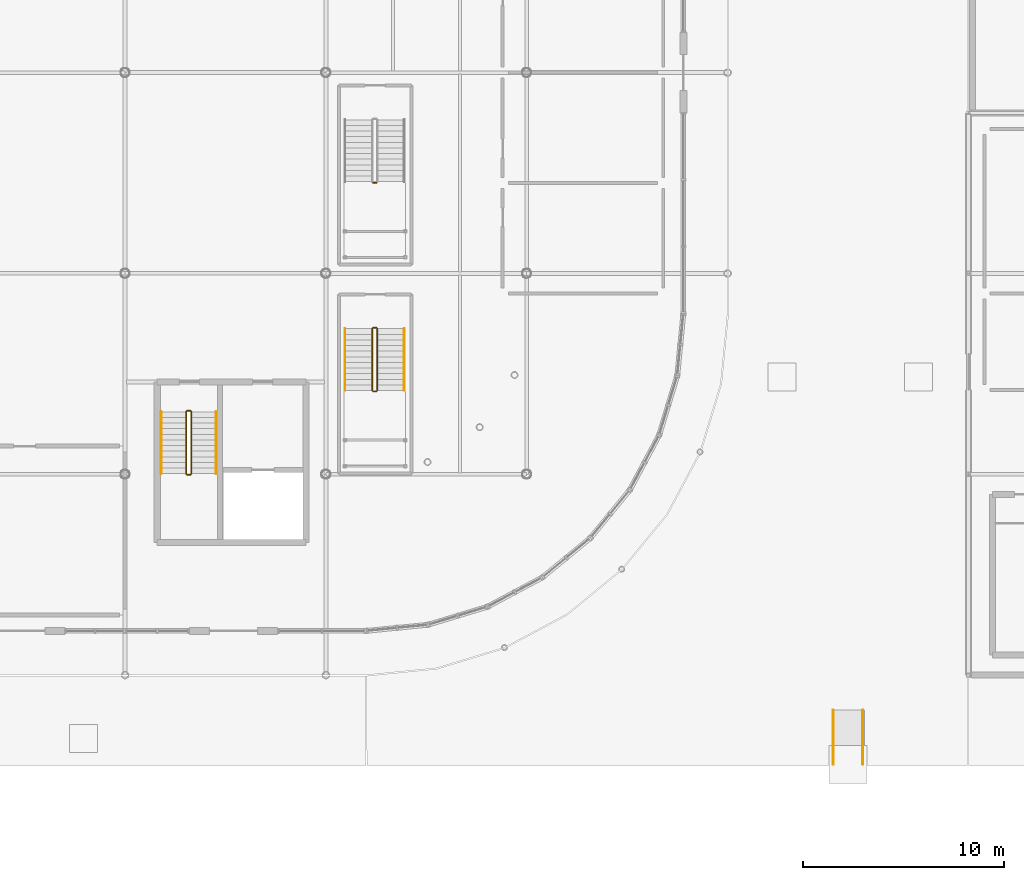
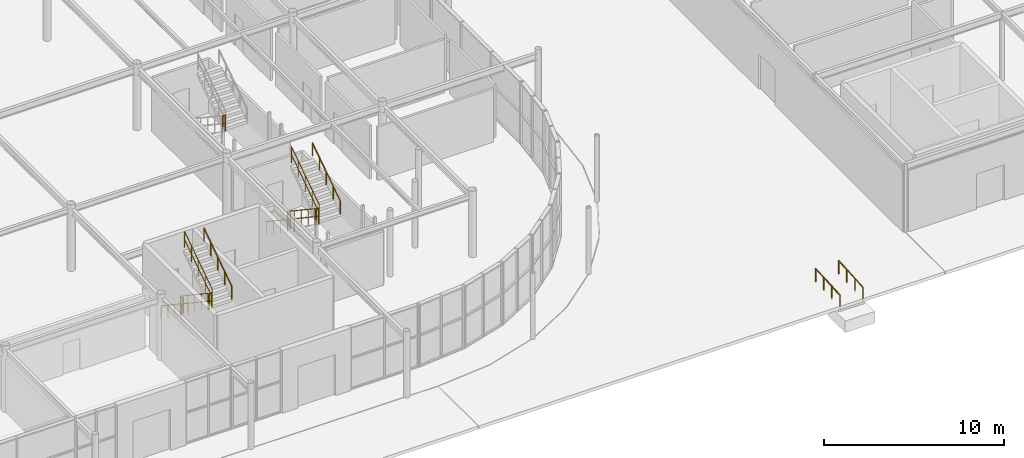
# One storey, part 112 of 119: 15 railings.
"""IFC4 building model written with IfcOpenShell, lengths in metres."""

from ifc_helpers import new_model, si_unit, derived_unit, direction, frame, origin, origin_2d_with_axis, place, context, subcontext, project, spatial, circle, extrude, material, layer, layer_set, type_object, element, save


model = new_model("IFC4")

# Units and contexts
model_context = context("Model", 3, precision=1e-05, world=origin(), true_north=direction((0.0, 1.0)))
body_context = subcontext(model_context, "Body", "Model", "MODEL_VIEW")
ifc_project = project(units=[si_unit("LENGTHUNIT", "METRE"), si_unit("AREAUNIT", "SQUARE_METRE"), si_unit("VOLUMEUNIT", "CUBIC_METRE"), si_unit("PLANEANGLEUNIT", "RADIAN"), si_unit("MASSUNIT", "GRAM", prefix="KILO"), derived_unit("THERMALTRANSMITTANCEUNIT", [(si_unit("POWERUNIT", "WATT"), 1), (si_unit("LENGTHUNIT", "METRE"), -2), (si_unit("THERMODYNAMICTEMPERATUREUNIT", "KELVIN"), -1)])], contexts=[model_context])

# Site, building, storey
site_placement = place(None, origin())
site = spatial("IfcSite", under=ifc_project, at=site_placement, CompositionType="ELEMENT")
building_placement = place(site_placement, origin())
building = spatial("IfcBuilding", under=site, at=building_placement, Name="Cinnabar Yard Market Hall", CompositionType="ELEMENT")
storey_placement = place(building_placement, origin())
storey = spatial("IfcBuildingStorey", under=building, at=storey_placement, Name="L00", CompositionType="ELEMENT", Elevation=0.0)

# Railings
ifc_material_1 = material(Name="Laminated glass and bronze handrail", Category="glass")
ifc_layer_1 = layer(ifc_material_1, 0.070068359375)
ifc_layer_set_1 = layer_set([ifc_layer_1], Name="Laminated glass and bronze handrail")
railing_type_1 = type_object("IfcRailingType", Name="RL-G01", PredefinedType="BALUSTRADE", material=ifc_layer_set_1)
railing_1_placement = place(storey_placement, frame((148.35009765625, 38.52001953125, 2.25)))
element("IfcRailing", 1, at=railing_1_placement, inside=storey, type_object=railing_type_1, Name="L00 ST-F2 stair guard 2", PredefinedType="BALUSTRADE", context=body_context, shape_type="SweptSolid", body=[
    extrude(circle(Radius=0.02392578125, at=origin_2d_with_axis()), frame((0.0, 0.0, 1.09619140625), z_axis=(1.0, 0.0, 0.0), x_axis=(0.0, 1.0, 0.0)), (0.0, 0.0, 1.0), 0.159912109375),
    extrude(circle(Radius=0.02392578125, at=origin_2d_with_axis()), frame((0.0, 0.0, 0.550048828125), z_axis=(1.0, 0.0, 0.0), x_axis=(0.0, 1.0, 0.0)), (0.0, 0.0, 1.0), 0.159912109375),
    extrude(circle(Radius=0.02099609375, at=origin_2d_with_axis()), origin(), (0.0, 0.0, 1.0), 1.072021484375),
    extrude(circle(Radius=0.02099609375, at=origin_2d_with_axis()), frame((0.159912109375, 0.0, 0.0)), (0.0, 0.0, 1.0), 1.072021484375),
])
railing_2_placement = place(storey_placement, frame((148.300048828125, 31.25, 0.1875)))
element("IfcRailing", 2, at=railing_2_placement, inside=storey, type_object=railing_type_1, Name="L00 ST-F5 stair guard 1", PredefinedType="BALUSTRADE", context=body_context, shape_type="SweptSolid", body=[
    extrude(circle(Radius=0.02392578125, at=origin_2d_with_axis()), frame((0.0, 0.0, 1.09619140625), z_axis=(0.0, -0.830913701846, 0.55640131208), x_axis=(1.0, 0.0, 0.0)), (0.0, 0.0, 1.0), 3.706787109375),
    extrude(circle(Radius=0.02392578125, at=origin_2d_with_axis()), frame((0.0, 0.0, 0.550048828125), z_axis=(0.0, -0.830913701846, 0.55640131208), x_axis=(1.0, 0.0, 0.0)), (0.0, 0.0, 1.0), 3.706787109375),
    extrude(circle(Radius=0.02099609375, at=origin_2d_with_axis()), origin(), (0.0, 0.0, 1.0), 1.072021484375),
    extrude(circle(Radius=0.02099609375, at=origin_2d_with_axis()), frame((0.0, -0.77001953125, 0.515625)), (0.0, 0.0, 1.0), 1.072021484375),
    extrude(circle(Radius=0.02099609375, at=origin_2d_with_axis()), frame((0.0, -1.5400390625, 1.03125)), (0.0, 0.0, 1.0), 1.072021484375),
    extrude(circle(Radius=0.02099609375, at=origin_2d_with_axis()), frame((0.0, -2.31005859375, 1.546875)), (0.0, 0.0, 1.0), 1.072021484375),
    extrude(circle(Radius=0.02099609375, at=origin_2d_with_axis()), frame((0.0, -3.080078125, 2.0625)), (0.0, 0.0, 1.0), 1.072021484375),
])
railing_3_placement = place(storey_placement, frame((148.35009765625, 28.1201171875, 2.25)))
element("IfcRailing", 3, at=railing_3_placement, inside=storey, type_object=railing_type_1, Name="L00 ST-F5 stair guard 2", PredefinedType="BALUSTRADE", context=body_context, shape_type="SweptSolid", body=[
    extrude(circle(Radius=0.02392578125, at=origin_2d_with_axis()), frame((0.0, 0.0, 1.09619140625), z_axis=(1.0, 0.0, 0.0), x_axis=(0.0, 1.0, 0.0)), (0.0, 0.0, 1.0), 0.159912109375),
    extrude(circle(Radius=0.02392578125, at=origin_2d_with_axis()), frame((0.0, 0.0, 0.550048828125), z_axis=(1.0, 0.0, 0.0), x_axis=(0.0, 1.0, 0.0)), (0.0, 0.0, 1.0), 0.159912109375),
    extrude(circle(Radius=0.02099609375, at=origin_2d_with_axis()), origin(), (0.0, 0.0, 1.0), 1.072021484375),
    extrude(circle(Radius=0.02099609375, at=origin_2d_with_axis()), frame((0.159912109375, 0.0, 0.0)), (0.0, 0.0, 1.0), 1.072021484375),
])
railing_4_placement = place(storey_placement, frame((148.56005859375, 28.169921875, 2.4375)))
element("IfcRailing", 4, at=railing_4_placement, inside=storey, type_object=railing_type_1, Name="L00 ST-F5 stair guard 3", PredefinedType="BALUSTRADE", context=body_context, shape_type="SweptSolid", body=[
    extrude(circle(Radius=0.02392578125, at=origin_2d_with_axis()), frame((0.0, 0.0, 1.09619140625), z_axis=(0.0, 0.830913701846, 0.55640131208), x_axis=(-1.0, 0.0, 0.0)), (0.0, 0.0, 1.0), 3.706787109375),
    extrude(circle(Radius=0.02392578125, at=origin_2d_with_axis()), frame((0.0, 0.0, 0.550048828125), z_axis=(0.0, 0.830913701846, 0.55640131208), x_axis=(-1.0, 0.0, 0.0)), (0.0, 0.0, 1.0), 3.706787109375),
    extrude(circle(Radius=0.02099609375, at=origin_2d_with_axis()), origin(), (0.0, 0.0, 1.0), 1.072021484375),
    extrude(circle(Radius=0.02099609375, at=origin_2d_with_axis()), frame((0.0, 0.77001953125, 0.515625)), (0.0, 0.0, 1.0), 1.072021484375),
    extrude(circle(Radius=0.02099609375, at=origin_2d_with_axis()), frame((0.0, 1.5400390625, 1.03125)), (0.0, 0.0, 1.0), 1.072021484375),
    extrude(circle(Radius=0.02099609375, at=origin_2d_with_axis()), frame((0.0, 2.31005859375, 1.546875)), (0.0, 0.0, 1.0), 1.072021484375),
    extrude(circle(Radius=0.02099609375, at=origin_2d_with_axis()), frame((0.0, 3.080078125, 2.0625)), (0.0, 0.0, 1.0), 1.072021484375),
])
railing_5_placement = place(storey_placement, frame((148.35009765625, 31.300048828125, 0.0)))
element("IfcRailing", 5, at=railing_5_placement, inside=storey, type_object=railing_type_1, Name="L00 ST-F5 stair guard 4", PredefinedType="BALUSTRADE", context=body_context, shape_type="SweptSolid", body=[
    extrude(circle(Radius=0.02392578125, at=origin_2d_with_axis()), frame((0.0, 0.0, 1.09619140625), z_axis=(1.0, 0.0, 0.0), x_axis=(0.0, 1.0, 0.0)), (0.0, 0.0, 1.0), 0.159912109375),
    extrude(circle(Radius=0.02392578125, at=origin_2d_with_axis()), frame((0.0, 0.0, 0.550048828125), z_axis=(1.0, 0.0, 0.0), x_axis=(0.0, 1.0, 0.0)), (0.0, 0.0, 1.0), 0.159912109375),
    extrude(circle(Radius=0.02099609375, at=origin_2d_with_axis()), origin(), (0.0, 0.0, 1.0), 1.072021484375),
    extrude(circle(Radius=0.02099609375, at=origin_2d_with_axis()), frame((0.159912109375, 0.0, 0.0)), (0.0, 0.0, 1.0), 1.072021484375),
])
ifc_material_2 = material(Name="Galvanised steel Grade 300 (300 MPa) guardrail", Category="steel")
ifc_layer_2 = layer(ifc_material_2, 0.06005859375)
ifc_layer_set_2 = layer_set([ifc_layer_2], Name="Galvanised steel Grade 300 (300 MPa) guardrail")
railing_type_2 = type_object("IfcRailingType", Name="RL-G03", PredefinedType="GUARDRAIL", material=ifc_layer_set_2)
railing_6_placement = place(storey_placement, frame((139.0400390625, 27.110107421875, 0.1875)))
element("IfcRailing", 6, at=railing_6_placement, inside=storey, type_object=railing_type_2, Name="L00 ST-C2 stair guard 1", PredefinedType="GUARDRAIL", context=body_context, shape_type="SweptSolid", body=[
    extrude(circle(Radius=0.02392578125, at=origin_2d_with_axis()), frame((0.0, 0.0, 1.09619140625), z_axis=(0.0, -0.830913701846, 0.55640131208), x_axis=(1.0, 0.0, 0.0)), (0.0, 0.0, 1.0), 3.706787109375),
    extrude(circle(Radius=0.02392578125, at=origin_2d_with_axis()), frame((0.0, 0.0, 0.550048828125), z_axis=(0.0, -0.830913701846, 0.55640131208), x_axis=(1.0, 0.0, 0.0)), (0.0, 0.0, 1.0), 3.706787109375),
    extrude(circle(Radius=0.02099609375, at=origin_2d_with_axis()), origin(), (0.0, 0.0, 1.0), 1.072021484375),
    extrude(circle(Radius=0.02099609375, at=origin_2d_with_axis()), frame((0.0, -0.77001953125, 0.515625)), (0.0, 0.0, 1.0), 1.072021484375),
    extrude(circle(Radius=0.02099609375, at=origin_2d_with_axis()), frame((0.0, -1.5400390625, 1.03125)), (0.0, 0.0, 1.0), 1.072021484375),
    extrude(circle(Radius=0.02099609375, at=origin_2d_with_axis()), frame((0.0, -2.31005859375, 1.546875)), (0.0, 0.0, 1.0), 1.072021484375),
    extrude(circle(Radius=0.02099609375, at=origin_2d_with_axis()), frame((0.0, -3.080078125, 2.0625)), (0.0, 0.0, 1.0), 1.072021484375),
])
railing_7_placement = place(storey_placement, frame((139.090087890625, 23.97998046875, 2.25)))
element("IfcRailing", 7, at=railing_7_placement, inside=storey, type_object=railing_type_2, Name="L00 ST-C2 stair guard 2", PredefinedType="GUARDRAIL", context=body_context, shape_type="SweptSolid", body=[
    extrude(circle(Radius=0.02392578125, at=origin_2d_with_axis()), frame((0.0, 0.0, 1.09619140625), z_axis=(1.0, 0.0, 0.0), x_axis=(0.0, 1.0, 0.0)), (0.0, 0.0, 1.0), 0.159912109375),
    extrude(circle(Radius=0.02392578125, at=origin_2d_with_axis()), frame((0.0, 0.0, 0.550048828125), z_axis=(1.0, 0.0, 0.0), x_axis=(0.0, 1.0, 0.0)), (0.0, 0.0, 1.0), 0.159912109375),
    extrude(circle(Radius=0.02099609375, at=origin_2d_with_axis()), origin(), (0.0, 0.0, 1.0), 1.072021484375),
    extrude(circle(Radius=0.02099609375, at=origin_2d_with_axis()), frame((0.159912109375, 0.0, 0.0)), (0.0, 0.0, 1.0), 1.072021484375),
])
railing_8_placement = place(storey_placement, frame((139.300048828125, 24.030029296875, 2.4375)))
element("IfcRailing", 8, at=railing_8_placement, inside=storey, type_object=railing_type_2, Name="L00 ST-C2 stair guard 3", PredefinedType="GUARDRAIL", context=body_context, shape_type="SweptSolid", body=[
    extrude(circle(Radius=0.02392578125, at=origin_2d_with_axis()), frame((0.0, 0.0, 1.09619140625), z_axis=(0.0, 0.830913701846, 0.55640131208), x_axis=(-1.0, 0.0, 0.0)), (0.0, 0.0, 1.0), 3.706787109375),
    extrude(circle(Radius=0.02392578125, at=origin_2d_with_axis()), frame((0.0, 0.0, 0.550048828125), z_axis=(0.0, 0.830913701846, 0.55640131208), x_axis=(-1.0, 0.0, 0.0)), (0.0, 0.0, 1.0), 3.706787109375),
    extrude(circle(Radius=0.02099609375, at=origin_2d_with_axis()), origin(), (0.0, 0.0, 1.0), 1.072021484375),
    extrude(circle(Radius=0.02099609375, at=origin_2d_with_axis()), frame((0.0, 0.77001953125, 0.515625)), (0.0, 0.0, 1.0), 1.072021484375),
    extrude(circle(Radius=0.02099609375, at=origin_2d_with_axis()), frame((0.0, 1.5400390625, 1.03125)), (0.0, 0.0, 1.0), 1.072021484375),
    extrude(circle(Radius=0.02099609375, at=origin_2d_with_axis()), frame((0.0, 2.31005859375, 1.546875)), (0.0, 0.0, 1.0), 1.072021484375),
    extrude(circle(Radius=0.02099609375, at=origin_2d_with_axis()), frame((0.0, 3.080078125, 2.0625)), (0.0, 0.0, 1.0), 1.072021484375),
])
railing_9_placement = place(storey_placement, frame((139.090087890625, 27.159912109375, 0.0)))
element("IfcRailing", 9, at=railing_9_placement, inside=storey, type_object=railing_type_2, Name="L00 ST-C2 stair guard 4", PredefinedType="GUARDRAIL", context=body_context, shape_type="SweptSolid", body=[
    extrude(circle(Radius=0.02392578125, at=origin_2d_with_axis()), frame((0.0, 0.0, 1.09619140625), z_axis=(1.0, 0.0, 0.0), x_axis=(0.0, 1.0, 0.0)), (0.0, 0.0, 1.0), 0.159912109375),
    extrude(circle(Radius=0.02392578125, at=origin_2d_with_axis()), frame((0.0, 0.0, 0.550048828125), z_axis=(1.0, 0.0, 0.0), x_axis=(0.0, 1.0, 0.0)), (0.0, 0.0, 1.0), 0.159912109375),
    extrude(circle(Radius=0.02099609375, at=origin_2d_with_axis()), origin(), (0.0, 0.0, 1.0), 1.072021484375),
    extrude(circle(Radius=0.02099609375, at=origin_2d_with_axis()), frame((0.159912109375, 0.0, 0.0)), (0.0, 0.0, 1.0), 1.072021484375),
])
ifc_material_3 = material(Name="Brushed stainless steel handrail", Category="steel")
ifc_layer_3 = layer(ifc_material_3, 0.050048828125)
ifc_layer_set_3 = layer_set([ifc_layer_3], Name="Brushed stainless steel handrail")
railing_type_3 = type_object("IfcRailingType", Name="RL-HR1", PredefinedType="HANDRAIL", material=ifc_layer_set_3)
railing_10_placement = place(storey_placement, frame((137.7900390625, 27.110107421875, 0.1875)))
element("IfcRailing", 10, at=railing_10_placement, inside=storey, type_object=railing_type_3, Name="L00 ST-C2 stair handrail 1", PredefinedType="HANDRAIL", context=body_context, shape_type="SweptSolid", body=[
    extrude(circle(Radius=0.02392578125, at=origin_2d_with_axis()), frame((0.0, 0.0, 0.8759765625), z_axis=(0.0, -0.830913701846, 0.55640131208), x_axis=(1.0, 0.0, 0.0)), (0.0, 0.0, 1.0), 3.706787109375),
    extrude(circle(Radius=0.02099609375, at=origin_2d_with_axis()), origin(), (0.0, 0.0, 1.0), 0.851806640625),
    extrude(circle(Radius=0.02099609375, at=origin_2d_with_axis()), frame((0.0, -0.77001953125, 0.515625)), (0.0, 0.0, 1.0), 0.851806640625),
    extrude(circle(Radius=0.02099609375, at=origin_2d_with_axis()), frame((0.0, -1.5400390625, 1.03125)), (0.0, 0.0, 1.0), 0.851806640625),
    extrude(circle(Radius=0.02099609375, at=origin_2d_with_axis()), frame((0.0, -2.31005859375, 1.546875)), (0.0, 0.0, 1.0), 0.851806640625),
    extrude(circle(Radius=0.02099609375, at=origin_2d_with_axis()), frame((0.0, -3.080078125, 2.0625)), (0.0, 0.0, 1.0), 0.851806640625),
])
railing_11_placement = place(storey_placement, frame((140.550048828125, 24.030029296875, 2.4375)))
element("IfcRailing", 11, at=railing_11_placement, inside=storey, type_object=railing_type_3, Name="L00 ST-C2 stair handrail 2", PredefinedType="HANDRAIL", context=body_context, shape_type="SweptSolid", body=[
    extrude(circle(Radius=0.02392578125, at=origin_2d_with_axis()), frame((0.0, 0.0, 0.8759765625), z_axis=(0.0, 0.830913701846, 0.55640131208), x_axis=(-1.0, 0.0, 0.0)), (0.0, 0.0, 1.0), 3.706787109375),
    extrude(circle(Radius=0.02099609375, at=origin_2d_with_axis()), origin(), (0.0, 0.0, 1.0), 0.851806640625),
    extrude(circle(Radius=0.02099609375, at=origin_2d_with_axis()), frame((0.0, 0.77001953125, 0.515625)), (0.0, 0.0, 1.0), 0.851806640625),
    extrude(circle(Radius=0.02099609375, at=origin_2d_with_axis()), frame((0.0, 1.5400390625, 1.03125)), (0.0, 0.0, 1.0), 0.851806640625),
    extrude(circle(Radius=0.02099609375, at=origin_2d_with_axis()), frame((0.0, 2.31005859375, 1.546875)), (0.0, 0.0, 1.0), 0.851806640625),
    extrude(circle(Radius=0.02099609375, at=origin_2d_with_axis()), frame((0.0, 3.080078125, 2.0625)), (0.0, 0.0, 1.0), 0.851806640625),
])
railing_12_placement = place(storey_placement, frame((146.949951171875, 31.25, 0.1875)))
element("IfcRailing", 12, at=railing_12_placement, inside=storey, type_object=railing_type_3, Name="L00 ST-F5 stair handrail 1", PredefinedType="HANDRAIL", context=body_context, shape_type="SweptSolid", body=[
    extrude(circle(Radius=0.02392578125, at=origin_2d_with_axis()), frame((0.0, 0.0, 0.8759765625), z_axis=(0.0, -0.830913701846, 0.55640131208), x_axis=(1.0, 0.0, 0.0)), (0.0, 0.0, 1.0), 3.706787109375),
    extrude(circle(Radius=0.02099609375, at=origin_2d_with_axis()), origin(), (0.0, 0.0, 1.0), 0.851806640625),
    extrude(circle(Radius=0.02099609375, at=origin_2d_with_axis()), frame((0.0, -0.77001953125, 0.515625)), (0.0, 0.0, 1.0), 0.851806640625),
    extrude(circle(Radius=0.02099609375, at=origin_2d_with_axis()), frame((0.0, -1.5400390625, 1.03125)), (0.0, 0.0, 1.0), 0.851806640625),
    extrude(circle(Radius=0.02099609375, at=origin_2d_with_axis()), frame((0.0, -2.31005859375, 1.546875)), (0.0, 0.0, 1.0), 0.851806640625),
    extrude(circle(Radius=0.02099609375, at=origin_2d_with_axis()), frame((0.0, -3.080078125, 2.0625)), (0.0, 0.0, 1.0), 0.851806640625),
])
railing_13_placement = place(storey_placement, frame((149.909912109375, 28.169921875, 2.4375)))
element("IfcRailing", 13, at=railing_13_placement, inside=storey, type_object=railing_type_3, Name="L00 ST-F5 stair handrail 2", PredefinedType="HANDRAIL", context=body_context, shape_type="SweptSolid", body=[
    extrude(circle(Radius=0.02392578125, at=origin_2d_with_axis()), frame((0.0, 0.0, 0.8759765625), z_axis=(0.0, 0.830913701846, 0.55640131208), x_axis=(-1.0, 0.0, 0.0)), (0.0, 0.0, 1.0), 3.706787109375),
    extrude(circle(Radius=0.02099609375, at=origin_2d_with_axis()), origin(), (0.0, 0.0, 1.0), 0.851806640625),
    extrude(circle(Radius=0.02099609375, at=origin_2d_with_axis()), frame((0.0, 0.77001953125, 0.515625)), (0.0, 0.0, 1.0), 0.851806640625),
    extrude(circle(Radius=0.02099609375, at=origin_2d_with_axis()), frame((0.0, 1.5400390625, 1.03125)), (0.0, 0.0, 1.0), 0.851806640625),
    extrude(circle(Radius=0.02099609375, at=origin_2d_with_axis()), frame((0.0, 2.31005859375, 1.546875)), (0.0, 0.0, 1.0), 0.851806640625),
    extrude(circle(Radius=0.02099609375, at=origin_2d_with_axis()), frame((0.0, 3.080078125, 2.0625)), (0.0, 0.0, 1.0), 0.851806640625),
])
ifc_material_4 = material(Name="Brushed stainless steel exterior handrail", Category="steel")
ifc_layer_4 = layer(ifc_material_4, 0.050048828125)
ifc_layer_set_4 = layer_set([ifc_layer_4], Name="Brushed stainless steel exterior handrail")
railing_type_4 = type_object("IfcRailingType", Name="RL-HRE", PredefinedType="HANDRAIL", material=ifc_layer_set_4)
for number, where, name in (
    (14, (171.257568359375, 9.550048828125, -0.179931640625), "East Link Step-Free Ramp Handrail L"),
    (15, (172.742431640625, 9.550048828125, -0.179931640625), "East Link Step-Free Ramp Handrail R"),
):
    element("IfcRailing", number, at=place(storey_placement, frame(where)), inside=storey, type_object=railing_type_4, Name=name, PredefinedType="HANDRAIL", context=body_context, shape_type="SweptSolid", body=[
        extrude(circle(Radius=0.02392578125, at=origin_2d_with_axis()), frame((0.0, 0.0, 0.89599609375), z_axis=(0.0, 0.997786754453, 0.066495057241), x_axis=(-1.0, 0.0, 0.0)), (0.0, 0.0, 1.0), 2.7060546875),
        extrude(circle(Radius=0.02099609375, at=origin_2d_with_axis()), origin(), (0.0, 0.0, 1.0), 0.871826171875),
        extrude(circle(Radius=0.02099609375, at=origin_2d_with_axis()), frame((0.0, 0.89990234375, 0.06005859375)), (0.0, 0.0, 1.0), 0.871826171875),
        extrude(circle(Radius=0.02099609375, at=origin_2d_with_axis()), frame((0.0, 1.800048828125, 0.119873046875)), (0.0, 0.0, 1.0), 0.871826171875),
        extrude(circle(Radius=0.02099609375, at=origin_2d_with_axis()), frame((0.0, 2.699951171875, 0.179931640625)), (0.0, 0.0, 1.0), 0.871826171875),
    ])

save(model, "model.ifc")
